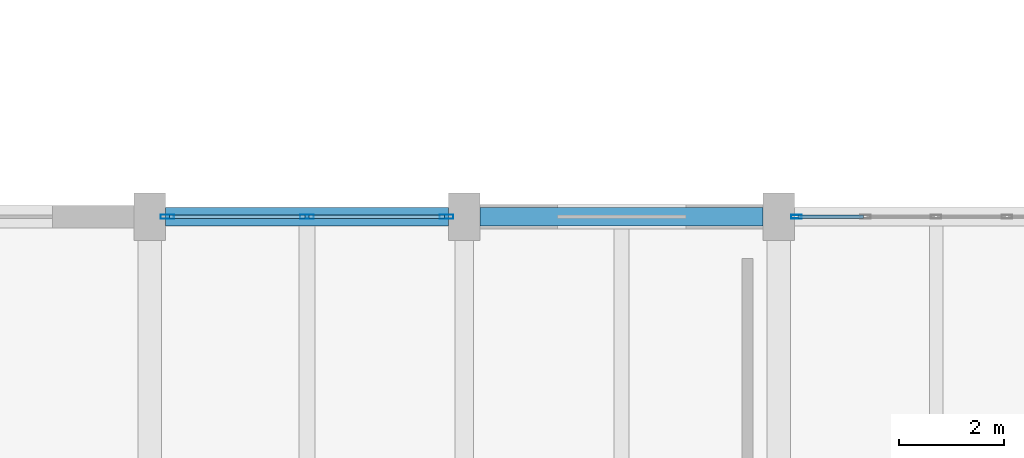
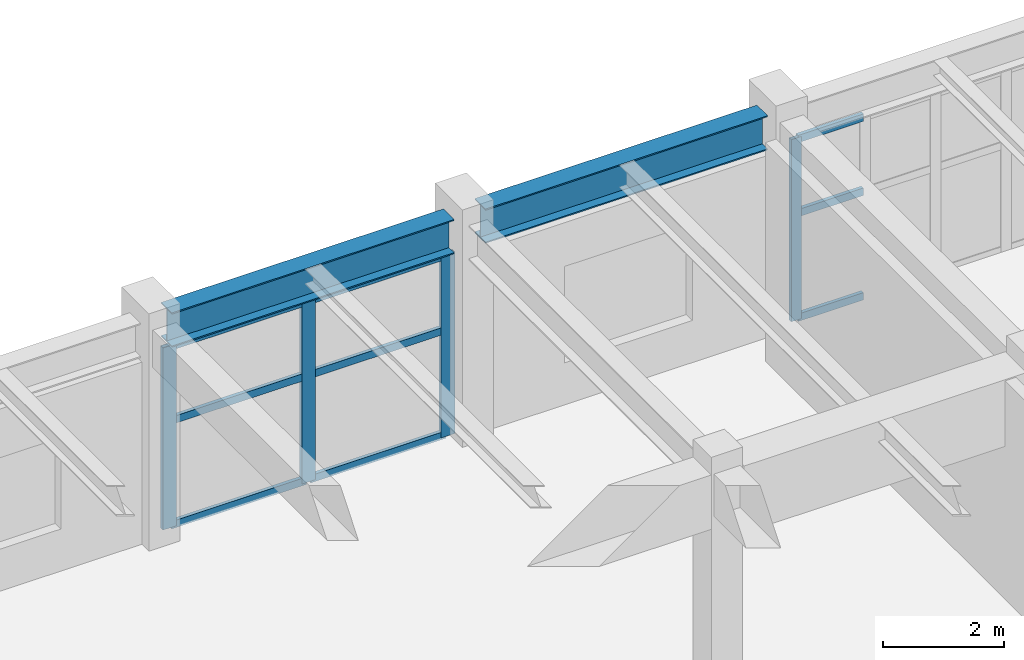
# One storey, part 42 of 85: 13 members, 2 beams, 2 elements without a shape of their own.
"""IFC4 building model written with IfcOpenShell, lengths in metres."""

from ifc_helpers import new_model, si_unit, direction, frame, origin, origin_2d, place, context, subcontext, project, spatial, hollow_rectangle, i_section, extrude, material, layer, layer_set, material_profile, profile_set, type_object, element, aggregate, save


model = new_model("IFC4")

# Units and contexts
model_context = context("Model", 3, precision=1e-05, world=origin(), true_north=direction((0.0, 1.0)))
body_context = subcontext(model_context, "Body", "Model", "MODEL_VIEW")
ifc_project = project(units=[si_unit("LENGTHUNIT", "METRE"), si_unit("AREAUNIT", "SQUARE_METRE"), si_unit("VOLUMEUNIT", "CUBIC_METRE"), si_unit("PLANEANGLEUNIT", "RADIAN"), si_unit("MASSUNIT", "GRAM", prefix="KILO")], contexts=[model_context])

# Site, building, storey
site_placement = place(None, origin())
site = spatial("IfcSite", under=ifc_project, at=site_placement, CompositionType="ELEMENT")
building_placement = place(site_placement, origin())
building = spatial("IfcBuilding", under=site, at=building_placement, Name="Vaelkrest Opera House", CompositionType="ELEMENT")
storey_placement = place(building_placement, frame((0.0, 0.0, 10.199951171875)))
storey = spatial("IfcBuildingStorey", under=building, at=storey_placement, Name="L02", CompositionType="ELEMENT", Elevation=10.199951171875)

# Curtain wall, member
ifc_material_1 = material(Name="Dark bronze anodized aluminium", Category="aluminium")
ifc_layer_1 = layer(ifc_material_1, 0.18994140625)
ifc_layer_set_1 = layer_set([ifc_layer_1], Name="Dark bronze anodized aluminium")
curtain_wall_type_1 = type_object("IfcCurtainWallType", Name="CW02", PredefinedType="NOTDEFINED", material=ifc_layer_set_1)
curtain_wall_1_placement = place(storey_placement, origin())
curtain_wall_1 = element("IfcCurtainWall", 1, at=curtain_wall_1_placement, inside=storey, type_object=curtain_wall_type_1, Name="Curtain wall CW-L02-122", PredefinedType="NOTDEFINED")
ifc_material_profile_1 = material_profile(ifc_material_1, hollow_rectangle(XDim=0.070068359375, YDim=0.199951171875, WallThickness=0.004150390625, at=origin_2d()), Name="CWM70X200")
ifc_profile_set_1 = profile_set([ifc_material_profile_1], Name="Dark bronze anodized aluminium")
member_type_1 = type_object("IfcMemberType", Name="CWM02", PredefinedType="MULLION", material=ifc_profile_set_1)
member_1_placement = place(storey_placement, frame((-39.26708984375, 33.60009765625, 0.0), z_axis=(0.0, 0.0, 1.0), x_axis=(0.0, 1.0, 0.0)))
member_1 = element("IfcMember", 2, at=member_1_placement, type_object=member_type_1, Name="CW02 mullion 1", PredefinedType="MULLION", context=body_context, shape_type="SweptSolid", body=[
    extrude(hollow_rectangle(XDim=0.070068359375, YDim=0.199951171875, WallThickness=0.004150390625, at=origin_2d()), origin(), (0.0, 0.0, 1.0), 3.68505859375),
])

# Curtain wall, members
ifc_layer_2 = layer(ifc_material_1, 0.25)
ifc_layer_set_2 = layer_set([ifc_layer_2], Name="Dark bronze anodized aluminium")
curtain_wall_type_2 = type_object("IfcCurtainWallType", Name="CW08", PredefinedType="NOTDEFINED", material=ifc_layer_set_2)
curtain_wall_2_placement = place(storey_placement, origin())
curtain_wall_2 = element("IfcCurtainWall", 3, at=curtain_wall_2_placement, inside=storey, type_object=curtain_wall_type_2, Name="Curtain wall CW-L02-121", PredefinedType="NOTDEFINED")
ifc_material_profile_2 = material_profile(ifc_material_1, hollow_rectangle(XDim=0.080078125, YDim=0.260009765625, WallThickness=0.0048828125, at=origin_2d()), Name="CWM80X260")
ifc_profile_set_2 = profile_set([ifc_material_profile_2], Name="Dark bronze anodized aluminium")
member_type_2 = type_object("IfcMemberType", Name="CWM04", PredefinedType="MULLION", material=ifc_profile_set_2)
member_2_placement = place(storey_placement, frame((-51.261962890625, 33.60009765625, 0.0), z_axis=(0.0, 0.0, 1.0), x_axis=(0.0, 1.0, 0.0)))
member_2 = element("IfcMember", 4, at=member_2_placement, type_object=member_type_2, Name="CW08 mullion 1", PredefinedType="MULLION", context=body_context, shape_type="SweptSolid", body=[
    extrude(hollow_rectangle(XDim=0.080078125, YDim=0.260009765625, WallThickness=0.0048828125, at=origin_2d()), origin(), (0.0, 0.0, 1.0), 3.68505859375),
])
member_3_placement = place(storey_placement, frame((-48.60009765625, 33.60009765625, 0.0), z_axis=(0.0, 0.0, 1.0), x_axis=(0.0, 1.0, 0.0)))
member_3 = element("IfcMember", 5, at=member_3_placement, type_object=member_type_2, Name="CW08 mullion 2", PredefinedType="MULLION", context=body_context, shape_type="SweptSolid", body=[
    extrude(hollow_rectangle(XDim=0.080078125, YDim=0.260009765625, WallThickness=0.0048828125, at=origin_2d()), origin(), (0.0, 0.0, 1.0), 3.68505859375),
])
member_4_placement = place(storey_placement, frame((-45.93798828125, 33.60009765625, 0.0), z_axis=(0.0, 0.0, 1.0), x_axis=(0.0, 1.0, 0.0)))
member_4 = element("IfcMember", 6, at=member_4_placement, type_object=member_type_2, Name="CW08 mullion 3", PredefinedType="MULLION", context=body_context, shape_type="SweptSolid", body=[
    extrude(hollow_rectangle(XDim=0.080078125, YDim=0.260009765625, WallThickness=0.0048828125, at=origin_2d()), origin(), (0.0, 0.0, 1.0), 3.68505859375),
])
ifc_material_profile_3 = material_profile(ifc_material_1, hollow_rectangle(XDim=0.070068359375, YDim=0.14990234375, WallThickness=0.004150390625, at=origin_2d()), Name="CWT70X150")
ifc_profile_set_3 = profile_set([ifc_material_profile_3], Name="Dark bronze anodized aluminium")
member_type_3 = type_object("IfcMemberType", Name="CWT02", PredefinedType="USERDEFINED", material=ifc_profile_set_3)
member_5_placement = place(storey_placement, frame((-51.221923828125, 33.60009765625, 0.03515625), z_axis=(1.0, 0.0, 0.0), x_axis=(0.0, 1.0, 0.0)))
member_5 = element("IfcMember", 7, at=member_5_placement, type_object=member_type_3, Name="CW08 transom 1.1", ObjectType="TRANSOM", PredefinedType="USERDEFINED", context=body_context, shape_type="SweptSolid", body=[
    extrude(hollow_rectangle(XDim=0.070068359375, YDim=0.14990234375, WallThickness=0.004150390625, at=origin_2d()), origin(), (0.0, 0.0, 1.0), 2.58203125),
])
member_6_placement = place(storey_placement, frame((-51.221923828125, 33.60009765625, 2.150146484375), z_axis=(1.0, 0.0, 0.0), x_axis=(0.0, 1.0, 0.0)))
member_6 = element("IfcMember", 8, at=member_6_placement, type_object=member_type_3, Name="CW08 transom 1.2", ObjectType="TRANSOM", PredefinedType="USERDEFINED", context=body_context, shape_type="SweptSolid", body=[
    extrude(hollow_rectangle(XDim=0.070068359375, YDim=0.14990234375, WallThickness=0.004150390625, at=origin_2d()), origin(), (0.0, 0.0, 1.0), 2.58203125),
])
member_7_placement = place(storey_placement, frame((-51.221923828125, 33.60009765625, 3.650146484375), z_axis=(1.0, 0.0, 0.0), x_axis=(0.0, 1.0, 0.0)))
member_7 = element("IfcMember", 9, at=member_7_placement, type_object=member_type_3, Name="CW08 transom 1.3", ObjectType="TRANSOM", PredefinedType="USERDEFINED", context=body_context, shape_type="SweptSolid", body=[
    extrude(hollow_rectangle(XDim=0.070068359375, YDim=0.14990234375, WallThickness=0.004150390625, at=origin_2d()), origin(), (0.0, 0.0, 1.0), 2.58203125),
])
member_8_placement = place(storey_placement, frame((-48.56005859375, 33.60009765625, 0.03515625), z_axis=(1.0, 0.0, 0.0), x_axis=(0.0, 1.0, 0.0)))
member_8 = element("IfcMember", 10, at=member_8_placement, type_object=member_type_3, Name="CW08 transom 2.1", ObjectType="TRANSOM", PredefinedType="USERDEFINED", context=body_context, shape_type="SweptSolid", body=[
    extrude(hollow_rectangle(XDim=0.070068359375, YDim=0.14990234375, WallThickness=0.004150390625, at=origin_2d()), origin(), (0.0, 0.0, 1.0), 2.58203125),
])
member_9_placement = place(storey_placement, frame((-48.56005859375, 33.60009765625, 2.150146484375), z_axis=(1.0, 0.0, 0.0), x_axis=(0.0, 1.0, 0.0)))
member_9 = element("IfcMember", 11, at=member_9_placement, type_object=member_type_3, Name="CW08 transom 2.2", ObjectType="TRANSOM", PredefinedType="USERDEFINED", context=body_context, shape_type="SweptSolid", body=[
    extrude(hollow_rectangle(XDim=0.070068359375, YDim=0.14990234375, WallThickness=0.004150390625, at=origin_2d()), origin(), (0.0, 0.0, 1.0), 2.58203125),
])
member_10_placement = place(storey_placement, frame((-48.56005859375, 33.60009765625, 3.650146484375), z_axis=(1.0, 0.0, 0.0), x_axis=(0.0, 1.0, 0.0)))
member_10 = element("IfcMember", 12, at=member_10_placement, type_object=member_type_3, Name="CW08 transom 2.3", ObjectType="TRANSOM", PredefinedType="USERDEFINED", context=body_context, shape_type="SweptSolid", body=[
    extrude(hollow_rectangle(XDim=0.070068359375, YDim=0.14990234375, WallThickness=0.004150390625, at=origin_2d()), origin(), (0.0, 0.0, 1.0), 2.58203125),
])
aggregate(curtain_wall_2, [member_2, member_3, member_4, member_5, member_6, member_7, member_8, member_9, member_10])

# Member
member_11_placement = place(storey_placement, frame((-39.23193359375, 33.60009765625, 0.03515625), z_axis=(1.0, 0.0, 0.0), x_axis=(0.0, 1.0, 0.0)))
member_11 = element("IfcMember", 13, at=member_11_placement, type_object=member_type_3, Name="CW02 transom 1.1", ObjectType="TRANSOM", PredefinedType="USERDEFINED", context=body_context, shape_type="SweptSolid", body=[
    extrude(hollow_rectangle(XDim=0.070068359375, YDim=0.14990234375, WallThickness=0.004150390625, at=origin_2d()), origin(), (0.0, 0.0, 1.0), 1.245849609375),
])

member_12_placement = place(storey_placement, frame((-39.23193359375, 33.60009765625, 2.150146484375), z_axis=(1.0, 0.0, 0.0), x_axis=(0.0, 1.0, 0.0)))
member_12 = element("IfcMember", 14, at=member_12_placement, type_object=member_type_3, Name="CW02 transom 1.2", ObjectType="TRANSOM", PredefinedType="USERDEFINED", context=body_context, shape_type="SweptSolid", body=[
    extrude(hollow_rectangle(XDim=0.070068359375, YDim=0.14990234375, WallThickness=0.004150390625, at=origin_2d()), origin(), (0.0, 0.0, 1.0), 1.245849609375),
])

member_13_placement = place(storey_placement, frame((-39.23193359375, 33.60009765625, 3.650146484375), z_axis=(1.0, 0.0, 0.0), x_axis=(0.0, 1.0, 0.0)))
member_13 = element("IfcMember", 15, at=member_13_placement, type_object=member_type_3, Name="CW02 transom 1.3", ObjectType="TRANSOM", PredefinedType="USERDEFINED", context=body_context, shape_type="SweptSolid", body=[
    extrude(hollow_rectangle(XDim=0.070068359375, YDim=0.14990234375, WallThickness=0.004150390625, at=origin_2d()), origin(), (0.0, 0.0, 1.0), 1.245849609375),
])

aggregate(curtain_wall_1, [member_1, member_11, member_12, member_13])

# Beams
ifc_material_2 = material(Name="Steel A992 Gr50", Category="steel")
ifc_material_profile_4 = material_profile(ifc_material_2, i_section(OverallWidth=0.35498046875, OverallDepth=0.695068359375, WebThickness=0.015380859375, FlangeThickness=0.02490234375, at=origin_2d()), Name="W27X146")
ifc_profile_set_4 = profile_set([ifc_material_profile_4], Name="Steel A992 Gr50")
beam_type = type_object("IfcBeamType", Name="SP02", PredefinedType="SPANDREL", material=ifc_profile_set_4)
for number, where, z_axis, x_axis, name in (
    (16, (-51.300048828125, 33.60009765625, 4.09765625), (1.0, 0.0, 0.0), (0.0, 1.0, 0.0), "Beam BM-V3-L02-1661"),
    (17, (-45.300048828125, 33.60009765625, 4.09765625), (1.0, 0.0, 0.0), (0.0, 1.0, 0.0), "Beam BM-V3-L02-1662"),
):
    element("IfcBeam", number, at=place(storey_placement, frame(where, z_axis=z_axis, x_axis=x_axis)), inside=storey, type_object=beam_type, Name=name, PredefinedType="SPANDREL", context=body_context, shape_type="SweptSolid", body=[
        extrude(i_section(OverallWidth=0.35498046875, OverallDepth=0.695068359375, WebThickness=0.015380859375, FlangeThickness=0.02490234375, at=origin_2d()), origin(), (0.0, 0.0, 1.0), 5.400146484375),
    ])

save(model, "model.ifc")
